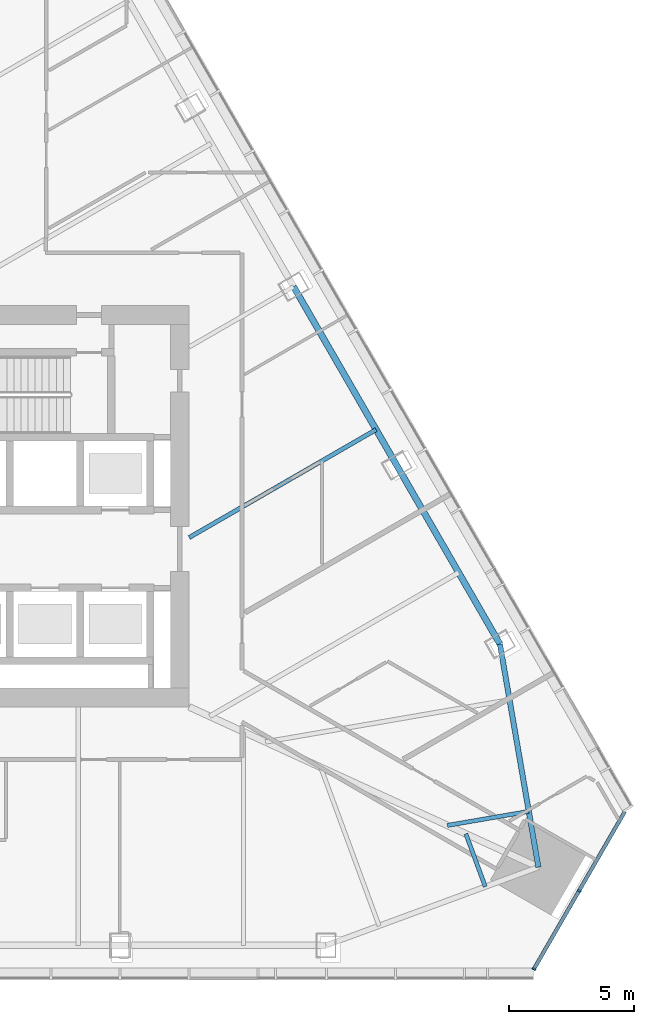
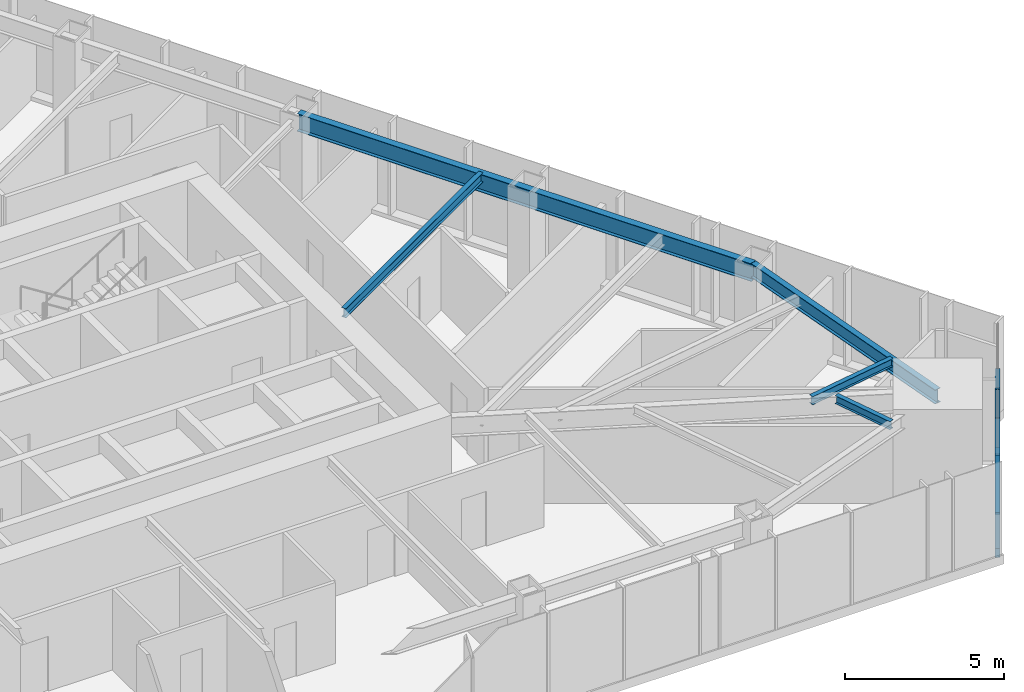
# One storey, part 6 of 16: 6 members, 5 beams, 1 element without a shape of its own.
"""IFC4 building model written with IfcOpenShell, lengths in metres."""

from ifc_helpers import new_model, si_unit, direction, frame, origin, origin_2d, place, context, subcontext, project, spatial, rectangle, i_section, extrude, material, layer, layer_set, material_profile, profile_set, type_object, element, aggregate, save


model = new_model("IFC4")

# Units and contexts
model_context = context("Model", 3, precision=1e-05, world=origin(), true_north=direction((0.0, 1.0)))
body_context = subcontext(model_context, "Body", "Model", "MODEL_VIEW")
ifc_project = project(units=[si_unit("LENGTHUNIT", "METRE"), si_unit("AREAUNIT", "SQUARE_METRE"), si_unit("VOLUMEUNIT", "CUBIC_METRE"), si_unit("PLANEANGLEUNIT", "RADIAN"), si_unit("MASSUNIT", "GRAM", prefix="KILO")], contexts=[model_context])

# Site, building, storey
site_placement = place(None, origin())
site = spatial("IfcSite", under=ifc_project, at=site_placement, CompositionType="ELEMENT")
building_placement = place(site_placement, origin())
building = spatial("IfcBuilding", under=site, at=building_placement, Name="Firuza Gate Tower and Library", CompositionType="ELEMENT")
storey_placement = place(building_placement, frame((0.0, 0.0, 229.89990234375)))
storey = spatial("IfcBuildingStorey", under=building, at=storey_placement, Name="L54", CompositionType="ELEMENT", Elevation=229.89990234375)

# Curtain wall, members
ifc_material_1 = material(Name="Aluminium 6063-T6", Category="aluminium")
ifc_layer = layer(ifc_material_1, 0.14990234375)
ifc_layer_set = layer_set([ifc_layer], Name="Corner curtain wall, chamfers")
curtain_wall_type = type_object("IfcCurtainWallType", Name="Corner curtain wall, chamfers", PredefinedType="NOTDEFINED", material=ifc_layer_set)
curtain_wall_placement = place(storey_placement, origin())
curtain_wall = element("IfcCurtainWall", 1, at=curtain_wall_placement, inside=storey, type_object=curtain_wall_type, Name="CW4 L54 SE corner", PredefinedType="NOTDEFINED")
ifc_material_2 = material(Name="Aluminium 6063-T6", Category="aluminium")
ifc_material_profile_1 = material_profile(ifc_material_2, rectangle(XDim=0.14990234375, YDim=0.080078125, at=origin_2d()))
ifc_profile_set_1 = profile_set([ifc_material_profile_1], Name="Aluminium 6063-T6")
member_type_1 = type_object("IfcMemberType", Name="Curtain wall mullion 80x150", PredefinedType="MULLION", material=ifc_profile_set_1)
member_1_placement = place(storey_placement, frame((99.739990234375, 56.5556640625, 0.150146484375), z_axis=(0.0, 0.0, 1.0), x_axis=(-0.866025403784, 0.5, 0.0)))
member_1 = element("IfcMember", 2, at=member_1_placement, type_object=member_type_1, Name="Mullion", PredefinedType="MULLION", context=body_context, shape_type="SweptSolid", body=[
    extrude(rectangle(XDim=0.14990234375, YDim=0.080078125, at=origin_2d()), origin(), (0.0, 0.0, 1.0), 3.550048828125),
])
member_2_placement = place(storey_placement, frame((101.54150390625, 59.67626953125, 0.150146484375), z_axis=(0.0, 0.0, 1.0), x_axis=(-0.866025403784, 0.5, 0.0)))
member_2 = element("IfcMember", 3, at=member_2_placement, type_object=member_type_1, Name="Mullion", PredefinedType="MULLION", context=body_context, shape_type="SweptSolid", body=[
    extrude(rectangle(XDim=0.14990234375, YDim=0.080078125, at=origin_2d()), origin(), (0.0, 0.0, 1.0), 3.550048828125),
])
ifc_material_3 = material(Name="Aluminium 6063-T6", Category="aluminium")
ifc_material_profile_2 = material_profile(ifc_material_3, rectangle(XDim=0.14990234375, YDim=0.35009765625, at=origin_2d()))
ifc_profile_set_2 = profile_set([ifc_material_profile_2], Name="Aluminium 6063-T6")
member_type_2 = type_object("IfcMemberType", Name="Curtain wall transom 350x150", PredefinedType="USERDEFINED", material=ifc_profile_set_2)
member_3_placement = place(storey_placement, frame((99.719970703125, 56.52099609375, -0.02490234375), z_axis=(0.500005719219, 0.866022101766, 0.0), x_axis=(-0.866022101766, 0.500005719219, 0.0)))
member_3 = element("IfcMember", 4, at=member_3_placement, type_object=member_type_2, Name="Transom", ObjectType="TRANSOM", PredefinedType="USERDEFINED", context=body_context, shape_type="SweptSolid", body=[
    extrude(rectangle(XDim=0.14990234375, YDim=0.35009765625, at=origin_2d()), origin(), (0.0, 0.0, 1.0), 7.28662109375),
])
ifc_material_4 = material(Name="Aluminium 6063-T6", Category="aluminium")
ifc_material_profile_3 = material_profile(ifc_material_4, rectangle(XDim=0.14990234375, YDim=0.080078125, at=origin_2d()))
ifc_profile_set_3 = profile_set([ifc_material_profile_3], Name="Aluminium 6063-T6")
member_type_3 = type_object("IfcMemberType", Name="Curtain wall transom 80x150", PredefinedType="USERDEFINED", material=ifc_profile_set_3)
member_4_placement = place(storey_placement, frame((99.739990234375, 56.5556640625, 1.4501953125), z_axis=(0.49996364809, 0.866046390552, 0.0), x_axis=(-0.866046390552, 0.49996364809, 0.0)))
member_4 = element("IfcMember", 5, at=member_4_placement, type_object=member_type_3, Name="Transom", ObjectType="TRANSOM", PredefinedType="USERDEFINED", context=body_context, shape_type="SweptSolid", body=[
    extrude(rectangle(XDim=0.14990234375, YDim=0.080078125, at=origin_2d()), origin(), (0.0, 0.0, 1.0), 3.563232421875),
])
member_5_placement = place(storey_placement, frame((99.739990234375, 56.5556640625, 2.5751953125), z_axis=(0.49996364809, 0.866046390552, 0.0), x_axis=(-0.866046390552, 0.49996364809, 0.0)))
member_5 = element("IfcMember", 6, at=member_5_placement, type_object=member_type_3, Name="Transom", ObjectType="TRANSOM", PredefinedType="USERDEFINED", context=body_context, shape_type="SweptSolid", body=[
    extrude(rectangle(XDim=0.14990234375, YDim=0.080078125, at=origin_2d()), origin(), (0.0, 0.0, 1.0), 3.563232421875),
])
member_6_placement = place(storey_placement, frame((101.5615234375, 59.7109375, 1.925048828125), z_axis=(0.500015035186, 0.866016723041, 0.0), x_axis=(-0.866016723041, 0.500015035186, 0.0)))
member_6 = element("IfcMember", 7, at=member_6_placement, type_object=member_type_3, Name="Transom", ObjectType="TRANSOM", PredefinedType="USERDEFINED", context=body_context, shape_type="SweptSolid", body=[
    extrude(rectangle(XDim=0.14990234375, YDim=0.080078125, at=origin_2d()), origin(), (0.0, 0.0, 1.0), 3.5634765625),
])
aggregate(curtain_wall, [member_1, member_2, member_3, member_4, member_5, member_6])

# Beams
ifc_material_5 = material(Name="Steel S355", Category="steel")
ifc_material_profile_4 = material_profile(ifc_material_5, i_section(OverallWidth=0.1650390625, OverallDepth=0.31005859375, WebThickness=0.005859375, FlangeThickness=0.009765625, at=origin_2d()))
ifc_profile_set_4 = profile_set([ifc_material_profile_4], Name="Steel S355")
beam_type_1 = type_object("IfcBeamType", Name="W310x39 Floor beam", PredefinedType="JOIST", material=ifc_profile_set_4)
beam_1_placement = place(storey_placement, frame((97.801025390625, 59.834228515625, 3.545166015625), z_axis=(-0.345503762559, 0.938417364533, 0.0), x_axis=(-0.938417364533, -0.345503762559, 0.0)))
element("IfcBeam", 8, at=beam_1_placement, inside=storey, type_object=beam_type_1, Name="Floor beam L54 s31", PredefinedType="JOIST", context=body_context, shape_type="SweptSolid", body=[
    extrude(i_section(OverallWidth=0.1650390625, OverallDepth=0.31005859375, WebThickness=0.005859375, FlangeThickness=0.009765625, at=origin_2d()), origin(), (0.0, 0.0, 1.0), 2.244873046875),
])
beam_2_placement = place(storey_placement, frame((99.534423828125, 62.83642578125, 3.545166015625), z_axis=(-0.985455831019, -0.169931766042, 0.0), x_axis=(0.169931766042, -0.985455831019, 0.0)))
element("IfcBeam", 9, at=beam_2_placement, inside=storey, type_object=beam_type_1, Name="Floor beam L54 s40", PredefinedType="JOIST", context=body_context, shape_type="SweptSolid", body=[
    extrude(i_section(OverallWidth=0.1650390625, OverallDepth=0.31005859375, WebThickness=0.005859375, FlangeThickness=0.009765625, at=origin_2d()), origin(), (0.0, 0.0, 1.0), 3.2900390625),
])
ifc_material_6 = material(Name="Steel S355", Category="steel")
ifc_material_profile_5 = material_profile(ifc_material_6, i_section(OverallWidth=0.1708984375, OverallDepth=0.35498046875, WebThickness=0.007080078125, FlangeThickness=0.01171875, at=origin_2d()))
ifc_profile_set_5 = profile_set([ifc_material_profile_5], Name="Steel S355")
beam_type_2 = type_object("IfcBeamType", Name="W360x51 Floor beam", PredefinedType="JOIST", material=ifc_profile_set_5)
beam_3_placement = place(storey_placement, frame((93.44921875, 78.05322265625, 3.522705078125), z_axis=(-0.866026773083, -0.499997628298, 0.0), x_axis=(0.499997628298, -0.866026773083, 0.0)))
element("IfcBeam", 10, at=beam_3_placement, inside=storey, type_object=beam_type_2, Name="Floor beam L54 s51", PredefinedType="JOIST", context=body_context, shape_type="SweptSolid", body=[
    extrude(i_section(OverallWidth=0.1708984375, OverallDepth=0.35498046875, WebThickness=0.007080078125, FlangeThickness=0.01171875, at=origin_2d()), origin(), (0.0, 0.0, 1.0), 8.6015625),
])
ifc_material_7 = material(Name="Steel S355", Category="steel")
ifc_material_profile_6 = material_profile(ifc_material_7, i_section(OverallWidth=0.212890625, OverallDepth=0.5390625, WebThickness=0.01171875, FlangeThickness=0.018798828125, at=origin_2d()))
ifc_profile_set_6 = profile_set([ifc_material_profile_6], Name="Steel S355")
beam_type_3 = type_object("IfcBeamType", Name="W530x109 Edge beam", PredefinedType="SPANDREL", material=ifc_profile_set_6)
beam_4_placement = place(storey_placement, frame((99.917724609375, 60.61376953125, 3.4306640625), z_axis=(-0.169934101, 0.985455428377, 0.0), x_axis=(-0.985455428377, -0.169934101, 0.0)))
element("IfcBeam", 11, at=beam_4_placement, inside=storey, type_object=beam_type_3, Name="Edge beam L54 e40", PredefinedType="SPANDREL", context=body_context, shape_type="SweptSolid", body=[
    extrude(i_section(OverallWidth=0.212890625, OverallDepth=0.5390625, WebThickness=0.01171875, FlangeThickness=0.018798828125, at=origin_2d()), origin(), (0.0, 0.0, 1.0), 9.0224609375),
])
ifc_material_8 = material(Name="Steel S355", Category="steel")
ifc_material_profile_7 = material_profile(ifc_material_8, i_section(OverallWidth=0.2529296875, OverallDepth=0.677978515625, WebThickness=0.01171875, FlangeThickness=0.016357421875, at=origin_2d()))
ifc_profile_set_7 = profile_set([ifc_material_profile_7], Name="Steel S355")
beam_type_4 = type_object("IfcBeamType", Name="W690x125 Edge beam", PredefinedType="SPANDREL", material=ifc_profile_set_7)
beam_5_placement = place(storey_placement, frame((98.384521484375, 69.5048828125, 3.361083984375), z_axis=(-0.500001643842, 0.866024454709, 0.0), x_axis=(-0.866024454709, -0.500001643842, 0.0)))
element("IfcBeam", 12, at=beam_5_placement, inside=storey, type_object=beam_type_4, Name="Edge beam L54 e50", PredefinedType="SPANDREL", context=body_context, shape_type="SweptSolid", body=[
    extrude(i_section(OverallWidth=0.2529296875, OverallDepth=0.677978515625, WebThickness=0.01171875, FlangeThickness=0.016357421875, at=origin_2d()), origin(), (0.0, 0.0, 1.0), 16.451171875),
])

save(model, "model.ifc")
